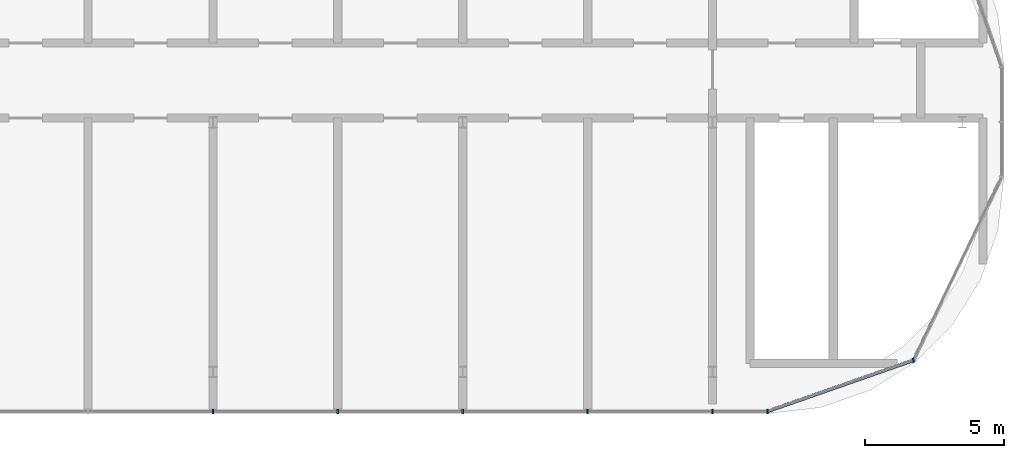
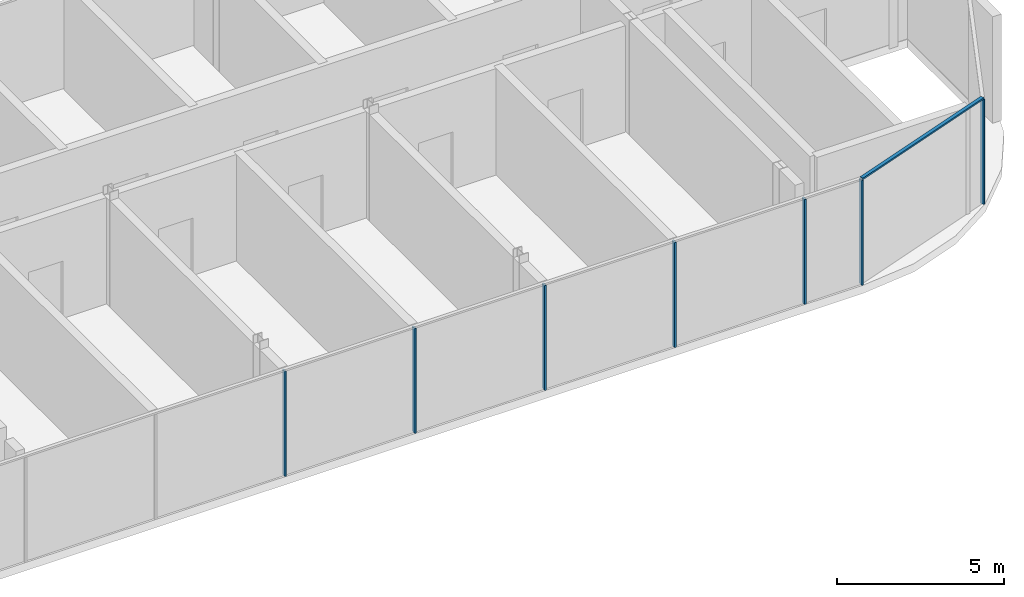
# One storey, part 6 of 14: 8 members, 2 elements without a shape of their own.
"""IFC4 building model written with IfcOpenShell, lengths in metres."""

from ifc_helpers import new_model, si_unit, direction, frame, origin, origin_2d, place, context, subcontext, project, spatial, rectangle, extrude, material, material_profile, profile_set, type_object, element, aggregate, save


model = new_model("IFC4")

# Units and contexts
model_context = context("Model", 3, precision=1e-05, world=origin(), true_north=direction((0.0, 1.0)))
body_context = subcontext(model_context, "Body", "Model", "MODEL_VIEW")
ifc_project = project(units=[si_unit("LENGTHUNIT", "METRE"), si_unit("AREAUNIT", "SQUARE_METRE"), si_unit("VOLUMEUNIT", "CUBIC_METRE"), si_unit("PLANEANGLEUNIT", "RADIAN"), si_unit("MASSUNIT", "GRAM", prefix="KILO")], contexts=[model_context])

# Site, building, storey
site_placement = place(None, origin())
site = spatial("IfcSite", under=ifc_project, at=site_placement, CompositionType="ELEMENT")
building_placement = place(site_placement, origin())
building = spatial("IfcBuilding", under=site, at=building_placement, Name="Ogive Portal Towers", CompositionType="ELEMENT")
storey_placement = place(building_placement, frame((0.0, 0.0, 277.10009765625)))
storey = spatial("IfcBuildingStorey", under=building, at=storey_placement, Name="L67", CompositionType="ELEMENT", Elevation=277.10009765625)

# Curtain wall, members
ifc_material_1 = material(Name="Glass, clear low-iron insulated glazing", Category="glass")
curtain_wall_type = type_object("IfcCurtainWallType", Name="CW CROWN GLAZING", PredefinedType="NOTDEFINED", material=ifc_material_1)
curtain_wall_1_placement = place(storey_placement, origin())
curtain_wall_1 = element("IfcCurtainWall", 1, at=curtain_wall_1_placement, inside=storey, type_object=curtain_wall_type, Name="A:L67:c06:cw", PredefinedType="NOTDEFINED")
ifc_material_2 = material(Name="Aluminium 6063 anodised", Category="aluminium")
ifc_material_profile_1 = material_profile(ifc_material_2, rectangle(XDim=0.159912109375, YDim=0.06005859375, at=origin_2d()), Name="AL 60x160")
ifc_profile_set_1 = profile_set([ifc_material_profile_1], Name="Aluminium 6063 anodised")
member_type_1 = type_object("IfcMemberType", Name="CW MULLION 60x160", PredefinedType="MULLION", material=ifc_profile_set_1)
member_1_placement = place(storey_placement, frame((67.5, 20.080078125, 0.0), z_axis=(0.0, 0.0, 1.0), x_axis=(0.0, 1.0, 0.0)))
member_1 = element("IfcMember", 2, at=member_1_placement, type_object=member_type_1, Name="mullion", PredefinedType="MULLION", context=body_context, shape_type="SweptSolid", body=[
    extrude(rectangle(XDim=0.159912109375, YDim=0.06005859375, at=origin_2d()), origin(), (0.0, 0.0, 1.0), 3.83984375),
])
member_2_placement = place(storey_placement, frame((72.0, 20.080078125, 0.0), z_axis=(0.0, 0.0, 1.0), x_axis=(0.0, 1.0, 0.0)))
member_2 = element("IfcMember", 3, at=member_2_placement, type_object=member_type_1, Name="mullion", PredefinedType="MULLION", context=body_context, shape_type="SweptSolid", body=[
    extrude(rectangle(XDim=0.159912109375, YDim=0.06005859375, at=origin_2d()), origin(), (0.0, 0.0, 1.0), 3.83984375),
])
member_3_placement = place(storey_placement, frame((76.5, 20.080078125, 0.0), z_axis=(0.0, 0.0, 1.0), x_axis=(0.0, 1.0, 0.0)))
member_3 = element("IfcMember", 4, at=member_3_placement, type_object=member_type_1, Name="mullion", PredefinedType="MULLION", context=body_context, shape_type="SweptSolid", body=[
    extrude(rectangle(XDim=0.159912109375, YDim=0.06005859375, at=origin_2d()), origin(), (0.0, 0.0, 1.0), 3.83984375),
])
member_4_placement = place(storey_placement, frame((81.0, 20.080078125, 0.0), z_axis=(0.0, 0.0, 1.0), x_axis=(0.0, 1.0, 0.0)))
member_4 = element("IfcMember", 5, at=member_4_placement, type_object=member_type_1, Name="mullion", PredefinedType="MULLION", context=body_context, shape_type="SweptSolid", body=[
    extrude(rectangle(XDim=0.159912109375, YDim=0.06005859375, at=origin_2d()), origin(), (0.0, 0.0, 1.0), 3.83984375),
])
member_5_placement = place(storey_placement, frame((85.5, 20.080078125, 0.0), z_axis=(0.0, 0.0, 1.0), x_axis=(0.0, 1.0, 0.0)))
member_5 = element("IfcMember", 6, at=member_5_placement, type_object=member_type_1, Name="mullion", PredefinedType="MULLION", context=body_context, shape_type="SweptSolid", body=[
    extrude(rectangle(XDim=0.159912109375, YDim=0.06005859375, at=origin_2d()), origin(), (0.0, 0.0, 1.0), 3.83984375),
])
member_6_placement = place(storey_placement, frame((87.486328125, 20.080078125, 0.0), z_axis=(0.0, 0.0, 1.0), x_axis=(0.0, 1.0, 0.0)))
member_6 = element("IfcMember", 7, at=member_6_placement, type_object=member_type_1, Name="mullion", PredefinedType="MULLION", context=body_context, shape_type="SweptSolid", body=[
    extrude(rectangle(XDim=0.159912109375, YDim=0.06005859375, at=origin_2d()), origin(), (0.0, 0.0, 1.0), 3.83984375),
])
aggregate(curtain_wall_1, [member_1, member_2, member_3, member_4, member_5, member_6])

curtain_wall_2_placement = place(storey_placement, origin())
curtain_wall_2 = element("IfcCurtainWall", 8, at=curtain_wall_2_placement, inside=storey, type_object=curtain_wall_type, Name="A:L67:c07:cw", PredefinedType="NOTDEFINED")
member_7_placement = place(storey_placement, frame((92.741943359375, 21.9189453125, 0.0), z_axis=(0.0, 0.0, 1.0), x_axis=(-0.33027906196, 0.943883330307, 0.0)))
member_7 = element("IfcMember", 9, at=member_7_placement, type_object=member_type_1, Name="mullion", PredefinedType="MULLION", context=body_context, shape_type="SweptSolid", body=[
    extrude(rectangle(XDim=0.159912109375, YDim=0.06005859375, at=origin_2d()), origin(), (0.0, 0.0, 1.0), 3.83984375),
])
ifc_material_profile_2 = material_profile(ifc_material_2, rectangle(XDim=0.1201171875, YDim=0.06005859375, at=origin_2d()), Name="AL 120x60")
ifc_profile_set_2 = profile_set([ifc_material_profile_2], Name="Aluminium 6063 anodised")
member_type_2 = type_object("IfcMemberType", Name="CW TRANSOM 60x120", PredefinedType="USERDEFINED", material=ifc_profile_set_2)
member_8_placement = place(storey_placement, frame((87.486328125, 20.080078125, 3.869873046875), z_axis=(0.943891847017, 0.330254721593, 0.0), x_axis=(-0.330254721593, 0.943891847017, 0.0)))
member_8 = element("IfcMember", 10, at=member_8_placement, type_object=member_type_2, Name="transom", ObjectType="TRANSOM", PredefinedType="USERDEFINED", context=body_context, shape_type="SweptSolid", body=[
    extrude(rectangle(XDim=0.1201171875, YDim=0.06005859375, at=origin_2d()), origin(), (0.0, 0.0, 1.0), 5.568115234375),
])
aggregate(curtain_wall_2, [member_8, member_7])

save(model, "model.ifc")
